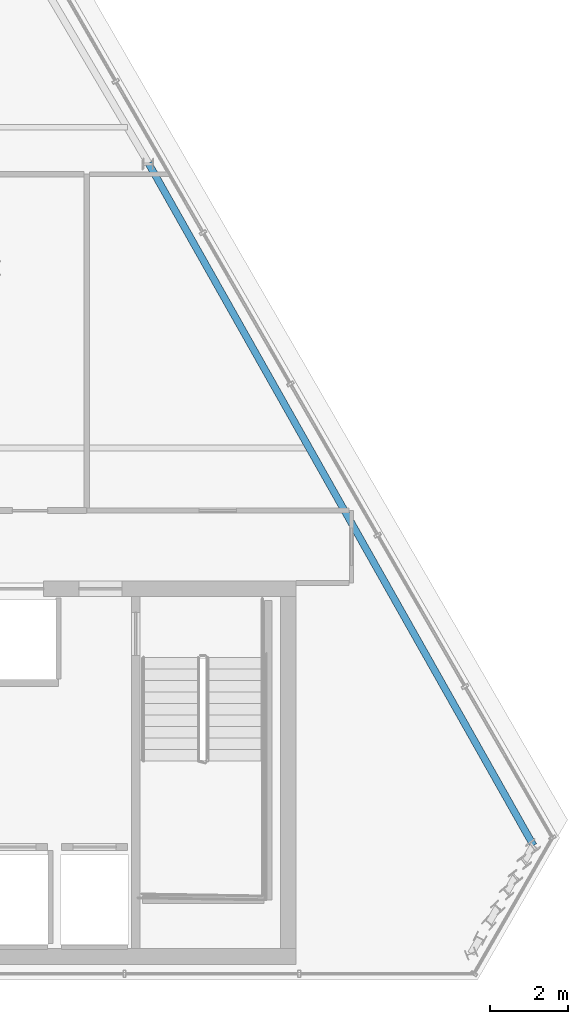
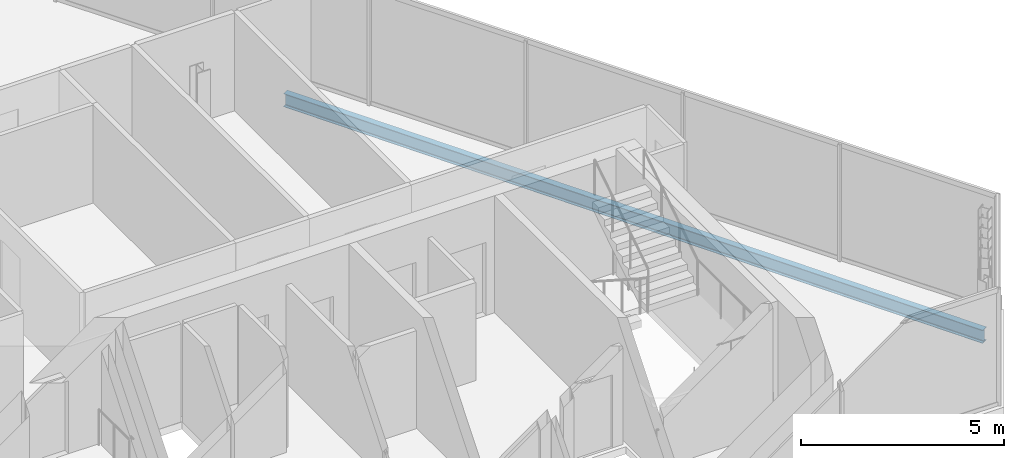
# One storey, part 21 of 32: 1 beam.
"""IFC4 building model written with IfcOpenShell, lengths in metres."""

from ifc_helpers import new_model, si_unit, direction, frame, origin, origin_2d, place, context, subcontext, project, spatial, i_section, extrude, material, material_profile, profile_set, type_object, element, save


model = new_model("IFC4")

# Units and contexts
model_context = context("Model", 3, precision=1e-05, world=origin(), true_north=direction((0.0, 1.0)))
body_context = subcontext(model_context, "Body", "Model", "MODEL_VIEW")
ifc_project = project(units=[si_unit("LENGTHUNIT", "METRE"), si_unit("AREAUNIT", "SQUARE_METRE"), si_unit("VOLUMEUNIT", "CUBIC_METRE"), si_unit("PLANEANGLEUNIT", "RADIAN"), si_unit("MASSUNIT", "GRAM", prefix="KILO")], contexts=[model_context])

# Site, building, storey
site_placement = place(None, origin())
site = spatial("IfcSite", under=ifc_project, at=site_placement, CompositionType="ELEMENT")
building_placement = place(site_placement, origin())
building = spatial("IfcBuilding", under=site, at=building_placement, Name="Ndaravel Arena Tower", CompositionType="ELEMENT")
storey_placement = place(building_placement, frame((0.0, 0.0, 294.699951171875)))
storey = spatial("IfcBuildingStorey", under=building, at=storey_placement, Name="L72", CompositionType="ELEMENT", Elevation=294.699951171875)

# Beam
ifc_material = material(Name="Steel S355", Category="steel")
ifc_material_profile = material_profile(ifc_material, i_section(OverallWidth=0.179931640625, OverallDepth=0.39990234375, WebThickness=0.008544921875, FlangeThickness=0.013427734375, FilletRadius=0.02099609375, at=origin_2d()), Name="IPE 400")
ifc_profile_set = profile_set([ifc_material_profile], Name="Steel S355")
beam_type = type_object("IfcBeamType", Name="BM-SPAN-IPE400", PredefinedType="SPANDREL", material=ifc_profile_set)
beam_placement = place(storey_placement, frame((63.62060546875, 8.438720703125, -0.419921875), z_axis=(-0.491444958906, 0.870908636061, 0.0), x_axis=(-0.870908636061, -0.491444958906, 0.0)))
element("IfcBeam", 1, at=beam_placement, inside=storey, type_object=beam_type, Name="L72 Perimeter Spandrel Beam SP-09", PredefinedType="SPANDREL", context=body_context, shape_type="SweptSolid", body=[
    extrude(i_section(OverallWidth=0.179931640625, OverallDepth=0.39990234375, WebThickness=0.008544921875, FlangeThickness=0.013427734375, FilletRadius=0.02099609375, at=origin_2d()), origin(), (0.0, 0.0, 1.0), 20.02734375),
])

save(model, "model.ifc")
